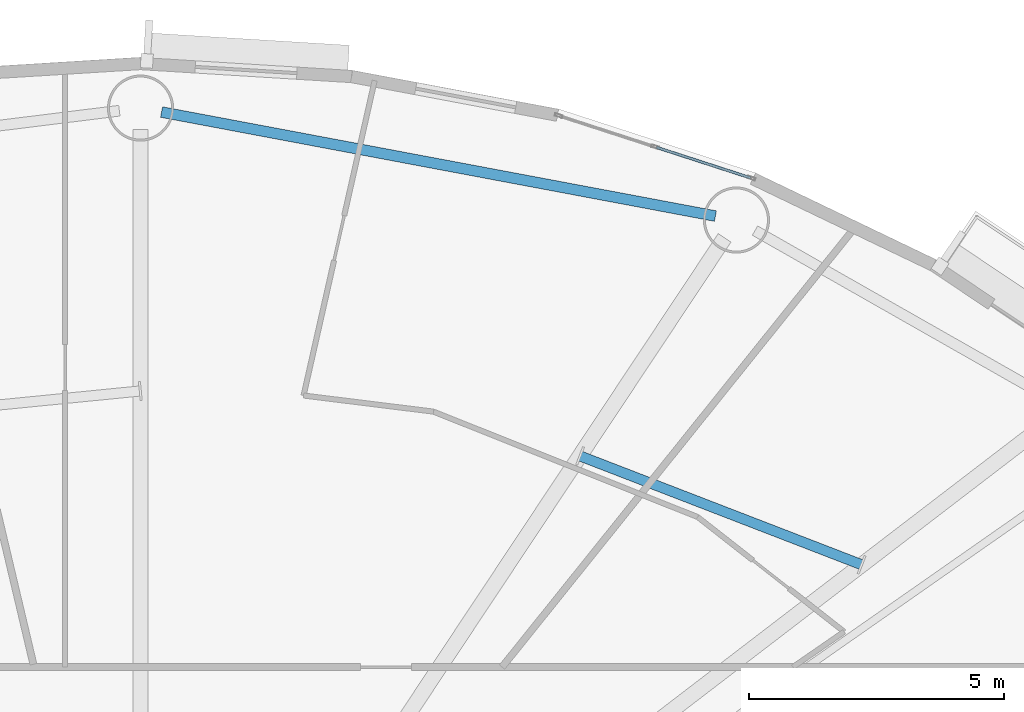
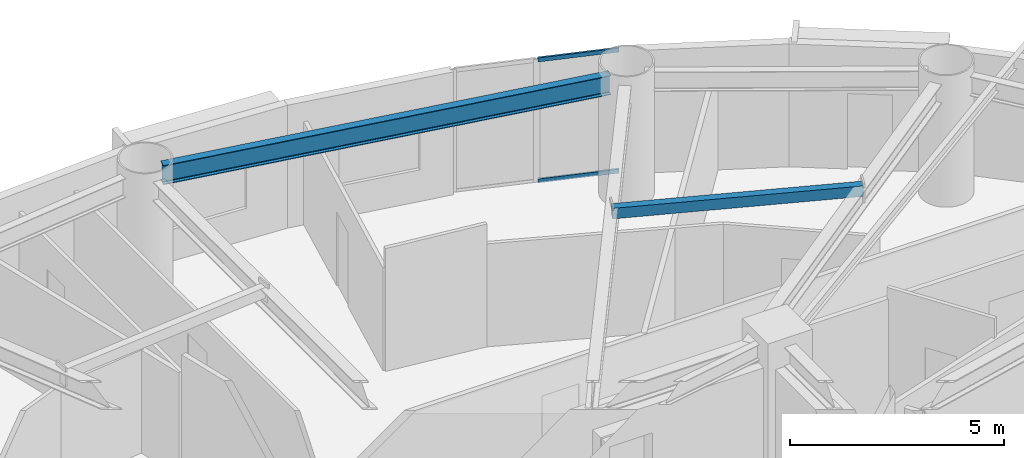
# One storey, part 4 of 21: 2 beams, 2 members, 1 element without a shape of its own.
"""IFC4 building model written with IfcOpenShell, lengths in metres."""

from ifc_helpers import new_model, si_unit, direction, frame, origin, origin_2d, place, context, subcontext, project, spatial, hollow_rectangle, i_section, extrude, source, transform, mapped, material, layer, layer_set, material_profile, profile_set, type_object, element, aggregate, save


model = new_model("IFC4")

# Units and contexts
model_context = context("Model", 3, precision=1e-05, world=origin(), true_north=direction((0.0, 1.0)))
body_context = subcontext(model_context, "Body", "Model", "MODEL_VIEW")
ifc_project = project(units=[si_unit("LENGTHUNIT", "METRE"), si_unit("AREAUNIT", "SQUARE_METRE"), si_unit("VOLUMEUNIT", "CUBIC_METRE"), si_unit("PLANEANGLEUNIT", "RADIAN"), si_unit("MASSUNIT", "GRAM", prefix="KILO")], contexts=[model_context])

# Site, building, storey
site_placement = place(None, origin())
site = spatial("IfcSite", under=ifc_project, at=site_placement, CompositionType="ELEMENT")
building_placement = place(site_placement, origin())
building = spatial("IfcBuilding", under=site, at=building_placement, Name="Linh Dai School and Residence Tower", CompositionType="ELEMENT")
storey_placement = place(building_placement, frame((0.0, 0.0, 156.14990234375)))
storey = spatial("IfcBuildingStorey", under=building, at=storey_placement, Name="L37", CompositionType="ELEMENT", Elevation=156.14990234375)

# Beams
ifc_material_1 = material(Name="Structural Steel S355JR", Category="steel")
ifc_material_profile_1 = material_profile(ifc_material_1, hollow_rectangle(XDim=0.199951171875, YDim=0.300048828125, WallThickness=0.010009765625, at=origin_2d()), Name="RHS 300x200x10")
ifc_profile_set_1 = profile_set([ifc_material_profile_1], Name="Structural Steel S355JR")
beam_type_1 = type_object("IfcBeamType", Name="BM-BX3", PredefinedType="BEAM", material=ifc_profile_set_1)
beam_1_placement = place(storey_placement, frame((50.1640625, 37.860107421875, 3.35009765625), z_axis=(-0.932827710026, 0.360322721193, 0.0), x_axis=(-0.360322721193, -0.932827710026, 0.0)))
element("IfcBeam", 1, at=beam_1_placement, inside=storey, type_object=beam_type_1, Name="L37 Secondary Circumferential Floor Beam 02", PredefinedType="BEAM", context=body_context, shape_type="SweptSolid", body=[
    extrude(hollow_rectangle(XDim=0.199951171875, YDim=0.300048828125, WallThickness=0.010009765625, at=origin_2d()), origin(), (0.0, 0.0, 1.0), 5.927978515625),
])
ifc_material_profile_2 = material_profile(ifc_material_1, i_section(OverallWidth=0.2099609375, OverallDepth=0.550048828125, WebThickness=0.010986328125, FlangeThickness=0.01708984375, FilletRadius=0.02392578125, at=origin_2d()), Name="IPE 550")
ifc_profile_set_2 = profile_set([ifc_material_profile_2], Name="Structural Steel S355JR")
beam_type_2 = type_object("IfcBeamType", Name="BM-RB55", PredefinedType="BEAM", material=ifc_profile_set_2)
beam_2_placement = place(storey_placement, frame((47.292724609375, 44.70849609375, 3.22509765625), z_axis=(-0.98280721278, 0.184634727255, 0.0), x_axis=(-0.184634727255, -0.98280721278, 0.0)))
element("IfcBeam", 2, at=beam_2_placement, inside=storey, type_object=beam_type_2, Name="L37 Perimeter Elliptical Ring Beam 04", PredefinedType="BEAM", context=body_context, shape_type="SweptSolid", body=[
    extrude(i_section(OverallWidth=0.2099609375, OverallDepth=0.550048828125, WebThickness=0.010986328125, FlangeThickness=0.01708984375, FilletRadius=0.02392578125, at=origin_2d()), origin(), (0.0, 0.0, 1.0), 11.0703125),
])

# Curtain wall, members
ifc_material_2 = material(Name="Aluminium Anodised Curtain Wall", Category="aluminium")
ifc_layer = layer(ifc_material_2, 0.14990234375)
ifc_layer_set = layer_set([ifc_layer], Name="Aluminium Anodised Curtain Wall")
curtain_wall_type = type_object("IfcCurtainWallType", Name="CW-SYS-4", PredefinedType="USERDEFINED", material=ifc_layer_set)
curtain_wall_placement = place(storey_placement, origin())
curtain_wall = element("IfcCurtainWall", 3, at=curtain_wall_placement, inside=storey, type_object=curtain_wall_type, Name="L37 CW4 Curtain Wall 08", ObjectType="RIBBON CURTAIN WALL", PredefinedType="USERDEFINED")
ifc_material_3 = material(Name="Aluminium Alloy 6063-T6", Category="aluminium")
ifc_material_profile_3 = material_profile(ifc_material_3, hollow_rectangle(XDim=0.052001953125, YDim=0.114990234375, WallThickness=0.00390625, at=origin_2d()), Name="RHS 115x52x4")
ifc_profile_set_3 = profile_set([ifc_material_profile_3], Name="Aluminium Alloy 6063-T6")
member_type = type_object("IfcMemberType", Name="CW-SYS-4-TRN", PredefinedType="USERDEFINED", material=ifc_profile_set_3)
shared_shape = source(origin(), body_context, "Body", "SweptSolid", [
    extrude(hollow_rectangle(XDim=0.052001953125, YDim=0.114990234375, WallThickness=0.00390625, at=origin_2d()), origin(), (0.0, 0.0, 1.0), 1.94091796875),
])
member_1_placement = place(storey_placement, frame((46.13427734375, 46.058349609375, 0.026123046875), z_axis=(0.951242770823, -0.308443172978, 0.0), x_axis=(0.308443172978, 0.951242770823, 0.0)))
member_1 = element("IfcMember", 4, at=member_1_placement, type_object=member_type, Name="CW4 transom 2.1", ObjectType="TRANSOM", PredefinedType="USERDEFINED", context=body_context, shape_type="MappedRepresentation", body=[
    mapped(shared_shape, transform((0.0, 0.0, 0.0), x_axis=(1.0, 0.0, 0.0), y_axis=(0.0, 1.0, 0.0), z_axis=(0.0, 0.0, 1.0), scale=1.0)),
])
member_2_placement = place(storey_placement, frame((46.13427734375, 46.058349609375, 3.47412109375), z_axis=(0.951242770823, -0.308443172978, 0.0), x_axis=(0.308443172978, 0.951242770823, 0.0)))
member_2 = element("IfcMember", 5, at=member_2_placement, type_object=member_type, Name="CW4 transom 2.2", ObjectType="TRANSOM", PredefinedType="USERDEFINED", context=body_context, shape_type="MappedRepresentation", body=[
    mapped(shared_shape, transform((0.0, 0.0, 0.0), x_axis=(1.0, 0.0, 0.0), y_axis=(0.0, 1.0, 0.0), z_axis=(0.0, 0.0, 1.0), scale=1.0)),
])
aggregate(curtain_wall, [member_1, member_2])

save(model, "model.ifc")
